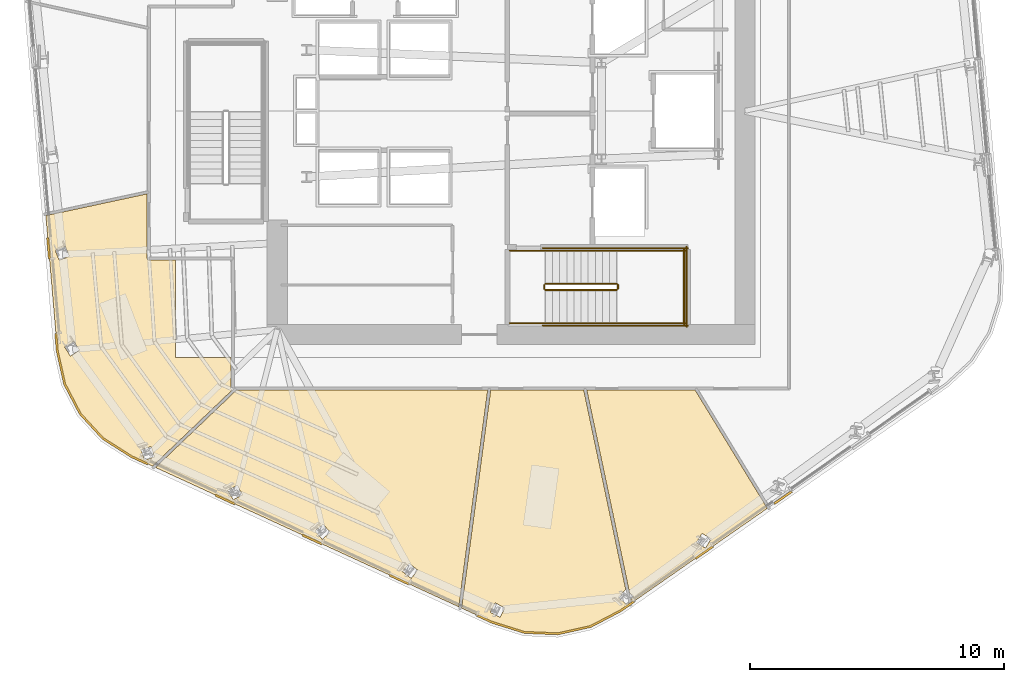
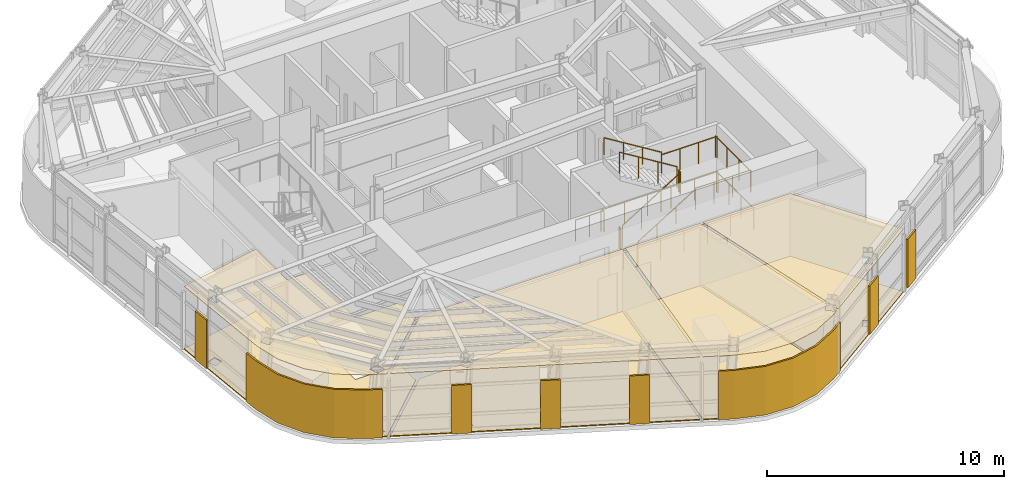
# One storey, part 10 of 14: 16 coverings, 14 railings.
"""IFC4 building model written with IfcOpenShell, lengths in metres."""

from ifc_helpers import new_model, si_unit, direction, frame, origin, origin_2d, place, context, subcontext, project, spatial, polyline, circle, outline, extrude, material, layer, layer_set, type_object, element, save


model = new_model("IFC4")

# Units and contexts
model_context = context("Model", 3, precision=1e-05, world=origin(), true_north=direction((0.0, 1.0)))
body_context = subcontext(model_context, "Body", "Model", "MODEL_VIEW")
ifc_project = project(units=[si_unit("LENGTHUNIT", "METRE"), si_unit("AREAUNIT", "SQUARE_METRE"), si_unit("VOLUMEUNIT", "CUBIC_METRE"), si_unit("PLANEANGLEUNIT", "RADIAN"), si_unit("MASSUNIT", "GRAM", prefix="KILO")], contexts=[model_context])

# Site, building, storey
site_placement = place(None, origin())
site = spatial("IfcSite", under=ifc_project, at=site_placement, CompositionType="ELEMENT")
building_placement = place(site_placement, origin())
building = spatial("IfcBuilding", under=site, at=building_placement, Name="Valkerne Bourse Tower", CompositionType="ELEMENT")
storey_placement = place(building_placement, frame((0.0, 0.0, 174.199951171875)))
storey = spatial("IfcBuildingStorey", under=building, at=storey_placement, Name="L44", CompositionType="ELEMENT", Elevation=174.199951171875)

# Coverings
ifc_material_1 = material(Name="Mineral Fiber Acoustic Ceiling Tile", Category="acoustic")
ifc_layer_1 = layer(ifc_material_1, 0.02490234375)
ifc_layer_set_1 = layer_set([ifc_layer_1], Name="Mineral Fiber Acoustic Ceiling Tile")
covering_type_1 = type_object("IfcCoveringType", Name="COV-CEIL-ACT", PredefinedType="CEILING", material=ifc_layer_set_1)
covering_1_placement = place(storey_placement, frame((0.0, 0.0, 3.22998046875)))
element("IfcCovering", 1, at=covering_1_placement, inside=storey, type_object=covering_type_1, Name="L44 Suspended Ceiling 05", PredefinedType="CEILING", context=body_context, shape_type="SweptSolid", body=[
    extrude(outline(polyline([(54.03857421875, 16.010986328125), (56.876953125, 11.36083984375), (51.539794921875, 7.640625), (51.510498046875, 7.78076171875), (51.615478515625, 7.898193359375), (51.455078125, 8.042724609375), (49.77587890625, 16.010986328125), (54.03857421875, 16.010986328125)]), holes=[polyline([(54.662353515625, 10.163330078125), (54.30810546875, 10.37744140625), (54.3056640625, 10.37646484375), (54.08740234375, 10.01318359375), (54.441650390625, 9.799072265625), (54.444091796875, 9.800048828125), (54.662353515625, 10.163330078125)])]), origin(), (0.0, 0.0, 1.0), 0.025146484375),
])
covering_2_placement = place(storey_placement, frame((0.0, 0.0, 3.22998046875)))
element("IfcCovering", 2, at=covering_2_placement, inside=storey, type_object=covering_type_1, Name="L44 Suspended Ceiling 06", PredefinedType="CEILING", context=body_context, shape_type="SweptSolid", body=[
    extrude(outline(polyline([(48.6357421875, 6.431396484375), (47.3173828125, 6.48681640625), (46.048828125, 6.88427734375), (44.84912109375, 7.435546875), (45.993408203125, 16.010986328125), (49.655517578125, 16.010986328125), (51.306640625, 8.175048828125), (51.30517578125, 8.1748046875), (51.022705078125, 7.85888671875), (51.330078125, 7.58203125), (51.3330078125, 7.58251953125), (51.412841796875, 7.671875), (51.434814453125, 7.5673828125), (51.1015625, 7.335205078125), (49.923583984375, 6.71923828125), (48.6357421875, 6.431396484375)]), holes=[polyline([(46.549072265625, 7.448486328125), (46.171142578125, 7.6396484375), (46.16845703125, 7.639892578125), (45.982421875, 7.269775390625), (46.360107421875, 7.07861328125), (46.36279296875, 7.07861328125), (46.549072265625, 7.448486328125)])]), origin(), (0.0, 0.0, 1.0), 0.025146484375),
])
covering_3_placement = place(storey_placement, frame((0.0, 0.0, 3.22998046875)))
element("IfcCovering", 3, at=covering_3_placement, inside=storey, type_object=covering_type_1, Name="L44 Suspended Ceiling 07", PredefinedType="CEILING", context=body_context, shape_type="SweptSolid", body=[
    extrude(outline(polyline([(29.84765625, 15.085693359375), (29.236328125, 16.255126953125), (28.946533203125, 17.552001953125), (28.49169921875, 22.87939453125), (32.48095703125, 23.736083984375), (32.48095703125, 21.199462890625), (32.48779296875, 21.169921875), (32.508544921875, 21.144775390625), (32.54931640625, 21.131103515625), (33.60009765625, 21.131103515625), (33.60009765625, 17.300048828125), (35.781005859375, 17.300048828125), (35.781005859375, 16.079345703125), (35.794189453125, 16.039306640625), (35.82470703125, 16.017578125), (32.690673828125, 13.02197265625), (31.86279296875, 13.40234375), (30.740966796875, 14.114501953125), (29.84765625, 15.085693359375)]), holes=[polyline([(32.63232421875, 13.79052734375), (32.63037109375, 13.79248046875), (32.23681640625, 13.66357421875), (32.36767578125, 13.2607421875), (32.36962890625, 13.2587890625), (32.76318359375, 13.3876953125), (32.63232421875, 13.79052734375)]), polyline([(29.81494140625, 17.584716796875), (29.813720703125, 17.587158203125), (29.587158203125, 17.9326171875), (29.23193359375, 17.699951171875), (29.233154296875, 17.697509765625), (29.459716796875, 17.35205078125), (29.81494140625, 17.584716796875)]), polyline([(29.4130859375, 21.281982421875), (29.412353515625, 21.28466796875), (29.2548828125, 21.66650390625), (28.8623046875, 21.5048828125), (28.863037109375, 21.50244140625), (29.0205078125, 21.120361328125), (29.4130859375, 21.281982421875)])]), origin(), (0.0, 0.0, 1.0), 0.025146484375),
])
covering_4_placement = place(storey_placement, frame((0.0, 0.0, 3.22998046875)))
element("IfcCovering", 4, at=covering_4_placement, inside=storey, type_object=covering_type_1, Name="L44 Suspended Ceiling 08", PredefinedType="CEILING", context=body_context, shape_type="SweptSolid", body=[
    extrude(outline(polyline([(45.874267578125, 16.010986328125), (44.73681640625, 7.487060546875), (32.805908203125, 12.968994140625), (35.988525390625, 16.010986328125), (45.874267578125, 16.010986328125)]), holes=[polyline([(36.021484375, 12.26904296875), (36.019287109375, 12.270751953125), (35.656982421875, 12.070068359375), (35.861328125, 11.698974609375), (35.863525390625, 11.697509765625), (36.225830078125, 11.89794921875), (36.021484375, 12.26904296875)]), polyline([(42.7841796875, 9.194091796875), (42.781494140625, 9.194580078125), (42.529296875, 8.866455078125), (42.864501953125, 8.607421875), (42.866943359375, 8.60693359375), (43.119384765625, 8.935302734375), (42.7841796875, 9.194091796875)]), polyline([(39.6787109375, 10.416015625), (39.4033203125, 10.73779296875), (39.40087890625, 10.739013671875), (39.0869140625, 10.46875), (39.362548828125, 10.14697265625), (39.364990234375, 10.14599609375), (39.6787109375, 10.416015625)])]), origin(), (0.0, 0.0, 1.0), 0.025146484375),
])
ifc_material_2 = material(Name="Bronze Anodised Aluminium AA 6063-T6", Category="aluminium")
ifc_layer_2 = layer(ifc_material_2, 0.06005859375)
ifc_layer_set_2 = layer_set([ifc_layer_2], Name="Bronze Anodised Aluminium AA 6063-T6")
covering_type_2 = type_object("IfcCoveringType", Name="COV-CRN-ALUM", PredefinedType="CLADDING", material=ifc_layer_set_2)
covering_5_placement = place(storey_placement, origin())
element("IfcCovering", 5, at=covering_5_placement, inside=storey, type_object=covering_type_2, Name="L44 Wind-Shaped Corner Aluminium Cladding 03", PredefinedType="CLADDING", context=body_context, shape_type="SweptSolid", body=[
    extrude(outline(polyline([(57.17138671875, 11.512451171875), (57.12548828125, 11.577880859375), (57.814697265625, 12.058349609375), (57.860595703125, 11.992919921875), (57.17138671875, 11.512451171875)])), origin(), (0.0, 0.0, 1.0), 2.5),
])
covering_6_placement = place(storey_placement, origin())
element("IfcCovering", 6, at=covering_6_placement, inside=storey, type_object=covering_type_2, Name="L44 Wind-Shaped Corner Aluminium Cladding 04", PredefinedType="CLADDING", context=body_context, shape_type="SweptSolid", body=[
    extrude(outline(polyline([(54.077880859375, 9.356201171875), (54.03173828125, 9.42138671875), (54.720947265625, 9.90185546875), (54.766845703125, 9.83642578125), (54.077880859375, 9.356201171875)])), origin(), (0.0, 0.0, 1.0), 2.5),
])
covering_7_placement = place(storey_placement, origin())
element("IfcCovering", 7, at=covering_7_placement, inside=storey, type_object=covering_type_2, Name="L44 Wind-Shaped Corner Aluminium Cladding 05", PredefinedType="CLADDING", context=body_context, shape_type="SweptSolid", body=[
    extrude(outline(polyline([(51.12451171875, 7.297607421875), (49.938720703125, 6.677490234375), (48.6396484375, 6.38720703125), (47.3095703125, 6.443115234375), (46.032958984375, 6.843017578125), (45.425048828125, 7.122314453125), (45.458740234375, 7.195068359375), (46.061767578125, 6.91796875), (47.323486328125, 6.5224609375), (48.632568359375, 6.467529296875), (49.910888671875, 6.75341796875), (51.0830078125, 7.365966796875), (51.627197265625, 7.74560546875), (51.67333984375, 7.679931640625), (51.12451171875, 7.297607421875)])), origin(), (0.0, 0.0, 1.0), 2.5),
])
covering_8_placement = place(storey_placement, origin())
element("IfcCovering", 8, at=covering_8_placement, inside=storey, type_object=covering_type_2, Name="L44 Wind-Shaped Corner Aluminium Cladding 06", PredefinedType="CLADDING", context=body_context, shape_type="SweptSolid", body=[
    extrude(outline(polyline([(41.998291015625, 8.697021484375), (42.031982421875, 8.76953125), (42.79541015625, 8.418701171875), (42.76171875, 8.34619140625), (41.998291015625, 8.697021484375)])), origin(), (0.0, 0.0, 1.0), 2.5),
])
covering_9_placement = place(storey_placement, origin())
element("IfcCovering", 9, at=covering_9_placement, inside=storey, type_object=covering_type_2, Name="L44 Wind-Shaped Corner Aluminium Cladding 07", PredefinedType="CLADDING", context=body_context, shape_type="SweptSolid", body=[
    extrude(outline(polyline([(38.57177734375, 10.271484375), (38.60546875, 10.343994140625), (39.36865234375, 9.9931640625), (39.3349609375, 9.920654296875), (38.57177734375, 10.271484375)])), origin(), (0.0, 0.0, 1.0), 2.5),
])
covering_10_placement = place(storey_placement, origin())
element("IfcCovering", 10, at=covering_10_placement, inside=storey, type_object=covering_type_2, Name="L44 Wind-Shaped Corner Aluminium Cladding 08", PredefinedType="CLADDING", context=body_context, shape_type="SweptSolid", body=[
    extrude(outline(polyline([(35.145263671875, 11.845703125), (35.178955078125, 11.918212890625), (35.942138671875, 11.567626953125), (35.908447265625, 11.4951171875), (35.145263671875, 11.845703125)])), origin(), (0.0, 0.0, 1.0), 2.5),
])
covering_11_placement = place(storey_placement, origin())
element("IfcCovering", 11, at=covering_11_placement, inside=storey, type_object=covering_type_2, Name="L44 Wind-Shaped Corner Aluminium Cladding 09", PredefinedType="CLADDING", context=body_context, shape_type="SweptSolid", body=[
    extrude(outline(polyline([(31.841796875, 13.363525390625), (30.71240234375, 14.080322265625), (29.811279296875, 15.060302734375), (29.194580078125, 16.239990234375), (28.90283203125, 17.545166015625), (28.843017578125, 18.2470703125), (28.922607421875, 18.254150390625), (28.982177734375, 17.557373046875), (29.2705078125, 16.267578125), (29.87744140625, 15.106689453125), (30.76416015625, 14.142333984375), (31.8798828125, 13.43408203125), (32.515380859375, 13.14208984375), (32.481689453125, 13.069580078125), (31.841796875, 13.363525390625)])), origin(), (0.0, 0.0, 1.0), 2.5),
])
covering_12_placement = place(storey_placement, origin())
element("IfcCovering", 12, at=covering_12_placement, inside=storey, type_object=covering_type_2, Name="L44 Wind-Shaped Corner Aluminium Cladding 10", PredefinedType="CLADDING", context=body_context, shape_type="SweptSolid", body=[
    extrude(outline(polyline([(28.522216796875, 22.00439453125), (28.60205078125, 22.011474609375), (28.67333984375, 21.174560546875), (28.59375, 21.16748046875), (28.522216796875, 22.00439453125)])), origin(), (0.0, 0.0, 1.0), 2.5),
])
ifc_material_3 = material(Name="Galvanised Painted Steel", Category="steel")
ifc_layer_3 = layer(ifc_material_3, 0.044921875)
ifc_layer_set_3 = layer_set([ifc_layer_3], Name="Galvanised Painted Steel")
covering_type_3 = type_object("IfcCoveringType", Name="COV-FLR-RAF", PredefinedType="FLOORING", material=ifc_layer_set_3)
covering_13_placement = place(storey_placement, origin())
element("IfcCovering", 13, at=covering_13_placement, inside=storey, type_object=covering_type_3, Name="L44 Floor Finish 06", PredefinedType="FLOORING", context=body_context, shape_type="SweptSolid", body=[
    extrude(outline(polyline([(48.6357421875, 6.431396484375), (47.3173828125, 6.48681640625), (46.048828125, 6.88427734375), (44.84912109375, 7.435546875), (45.993408203125, 16.010986328125), (49.655517578125, 16.010986328125), (51.306640625, 8.175048828125), (51.30517578125, 8.1748046875), (51.022705078125, 7.85888671875), (51.330078125, 7.58203125), (51.3330078125, 7.58251953125), (51.412841796875, 7.671875), (51.434814453125, 7.5673828125), (51.1015625, 7.335205078125), (49.923583984375, 6.71923828125), (48.6357421875, 6.431396484375)]), holes=[polyline([(46.549072265625, 7.448486328125), (46.171142578125, 7.6396484375), (46.16845703125, 7.639892578125), (45.982421875, 7.269775390625), (46.360107421875, 7.07861328125), (46.36279296875, 7.07861328125), (46.549072265625, 7.448486328125)])]), origin(), (0.0, 0.0, 1.0), 0.045166015625),
])
covering_14_placement = place(storey_placement, origin())
element("IfcCovering", 14, at=covering_14_placement, inside=storey, type_object=covering_type_3, Name="L44 Floor Finish 07", PredefinedType="FLOORING", context=body_context, shape_type="SweptSolid", body=[
    extrude(outline(polyline([(29.84765625, 15.085693359375), (29.236328125, 16.255126953125), (28.946533203125, 17.552001953125), (28.49169921875, 22.87939453125), (32.48095703125, 23.736083984375), (32.48095703125, 21.199462890625), (32.48779296875, 21.169921875), (32.508544921875, 21.144775390625), (32.54931640625, 21.131103515625), (33.60009765625, 21.131103515625), (33.60009765625, 17.300048828125), (35.781005859375, 17.300048828125), (35.781005859375, 16.079345703125), (35.794189453125, 16.039306640625), (35.82470703125, 16.017578125), (32.690673828125, 13.02197265625), (31.86279296875, 13.40234375), (30.740966796875, 14.114501953125), (29.84765625, 15.085693359375)]), holes=[polyline([(32.63232421875, 13.79052734375), (32.63037109375, 13.79248046875), (32.23681640625, 13.66357421875), (32.36767578125, 13.2607421875), (32.36962890625, 13.2587890625), (32.76318359375, 13.3876953125), (32.63232421875, 13.79052734375)]), polyline([(29.81494140625, 17.584716796875), (29.813720703125, 17.587158203125), (29.587158203125, 17.9326171875), (29.23193359375, 17.699951171875), (29.233154296875, 17.697509765625), (29.459716796875, 17.35205078125), (29.81494140625, 17.584716796875)]), polyline([(29.4130859375, 21.281982421875), (29.412353515625, 21.28466796875), (29.2548828125, 21.66650390625), (28.8623046875, 21.5048828125), (28.863037109375, 21.50244140625), (29.0205078125, 21.120361328125), (29.4130859375, 21.281982421875)])]), origin(), (0.0, 0.0, 1.0), 0.045166015625),
])
covering_15_placement = place(storey_placement, origin())
element("IfcCovering", 15, at=covering_15_placement, inside=storey, type_object=covering_type_3, Name="L44 Floor Finish 08", PredefinedType="FLOORING", context=body_context, shape_type="SweptSolid", body=[
    extrude(outline(polyline([(45.874267578125, 16.010986328125), (44.73681640625, 7.487060546875), (32.805908203125, 12.968994140625), (35.988525390625, 16.010986328125), (45.874267578125, 16.010986328125)]), holes=[polyline([(36.021484375, 12.26904296875), (36.019287109375, 12.270751953125), (35.656982421875, 12.070068359375), (35.861328125, 11.698974609375), (35.863525390625, 11.697509765625), (36.225830078125, 11.89794921875), (36.021484375, 12.26904296875)]), polyline([(42.7841796875, 9.194091796875), (42.781494140625, 9.194580078125), (42.529296875, 8.866455078125), (42.864501953125, 8.607421875), (42.866943359375, 8.60693359375), (43.119384765625, 8.935302734375), (42.7841796875, 9.194091796875)]), polyline([(39.6787109375, 10.416015625), (39.4033203125, 10.73779296875), (39.40087890625, 10.739013671875), (39.0869140625, 10.46875), (39.362548828125, 10.14697265625), (39.364990234375, 10.14599609375), (39.6787109375, 10.416015625)])]), origin(), (0.0, 0.0, 1.0), 0.045166015625),
])
ifc_material_4 = material(Name="Polished Granite Stone", Category="masonry")
ifc_layer_4 = layer(ifc_material_4, 0.030029296875)
ifc_layer_set_4 = layer_set([ifc_layer_4], Name="Polished Granite Stone")
covering_type_4 = type_object("IfcCoveringType", Name="COV-FLR-TERRAZZO", PredefinedType="FLOORING", material=ifc_layer_set_4)
covering_16_placement = place(storey_placement, origin())
element("IfcCovering", 16, at=covering_16_placement, inside=storey, type_object=covering_type_4, Name="L44 Floor Finish 05", PredefinedType="FLOORING", context=body_context, shape_type="SweptSolid", body=[
    extrude(outline(polyline([(54.03857421875, 16.010986328125), (56.876953125, 11.36083984375), (51.539794921875, 7.640625), (51.510498046875, 7.78076171875), (51.615478515625, 7.898193359375), (51.455078125, 8.042724609375), (49.77587890625, 16.010986328125), (54.03857421875, 16.010986328125)]), holes=[polyline([(54.662353515625, 10.163330078125), (54.30810546875, 10.37744140625), (54.3056640625, 10.37646484375), (54.08740234375, 10.01318359375), (54.441650390625, 9.799072265625), (54.444091796875, 9.800048828125), (54.662353515625, 10.163330078125)])]), origin(), (0.0, 0.0, 1.0), 0.030029296875),
])

# Railings
railing_type_1 = type_object("IfcRailingType", Name="RLG-ST-GUARD-1120", PredefinedType="GUARDRAIL", material=ifc_material_3)
railing_1_placement = place(storey_placement, frame((48.14990234375, 19.949951171875, 0.1728515625)))
element("IfcRailing", 17, at=railing_1_placement, inside=storey, type_object=railing_type_1, Name="L44 ST-1 stair guard 1", PredefinedType="GUARDRAIL", context=body_context, shape_type="SweptSolid", body=[
    extrude(circle(Radius=0.02392578125, at=origin_2d()), frame((0.0, 0.0, 1.09619140625), z_axis=(0.851089632645, 0.0, 0.525020415988), x_axis=(0.0, 1.0, 0.0)), (0.0, 0.0, 1.0), 3.2900390625),
    extrude(circle(Radius=0.02099609375, at=origin_2d()), origin(), (0.0, 0.0, 1.0), 1.072021484375),
    extrude(circle(Radius=0.02099609375, at=origin_2d()), frame((0.933349609375, 0.0, 0.57568359375)), (0.0, 0.0, 1.0), 1.072021484375),
    extrude(circle(Radius=0.02099609375, at=origin_2d()), frame((1.86669921875, 0.0, 1.151611328125)), (0.0, 0.0, 1.0), 1.072021484375),
    extrude(circle(Radius=0.02099609375, at=origin_2d()), frame((2.800048828125, 0.0, 1.727294921875)), (0.0, 0.0, 1.0), 1.072021484375),
])
railing_2_placement = place(storey_placement, frame((51.0, 20.0, 1.900146484375)))
element("IfcRailing", 18, at=railing_2_placement, inside=storey, type_object=railing_type_1, Name="L44 ST-1 stair guard 2", PredefinedType="GUARDRAIL", context=body_context, shape_type="SweptSolid", body=[
    extrude(circle(Radius=0.02392578125, at=origin_2d()), frame((0.0, 0.0, 1.09619140625), z_axis=(0.0, 1.0, 0.0), x_axis=(-1.0, 0.0, 0.0)), (0.0, 0.0, 1.0), 0.14990234375),
    extrude(circle(Radius=0.02099609375, at=origin_2d()), origin(), (0.0, 0.0, 1.0), 1.072021484375),
    extrude(circle(Radius=0.02099609375, at=origin_2d()), frame((0.0, 0.14990234375, 0.0)), (0.0, 0.0, 1.0), 1.072021484375),
])
for number, where, name in (
    (19, (50.949951171875, 18.64990234375, 1.900146484375), "L44 ST-1 stair guard 3"),
    (20, (50.949951171875, 21.5, 1.900146484375), "L44 ST-1 stair guard 4"),
):
    element("IfcRailing", number, at=place(storey_placement, frame(where)), inside=storey, type_object=railing_type_1, Name=name, PredefinedType="GUARDRAIL", context=body_context, shape_type="SweptSolid", body=[
        extrude(circle(Radius=0.02392578125, at=origin_2d()), frame((0.0, 0.0, 1.09619140625), z_axis=(1.0, 0.0, 0.0), x_axis=(0.0, 1.0, 0.0)), (0.0, 0.0, 1.0), 2.699951171875),
        extrude(circle(Radius=0.02099609375, at=origin_2d()), origin(), (0.0, 0.0, 1.0), 1.072021484375),
        extrude(circle(Radius=0.02099609375, at=origin_2d()), frame((0.89990234375, 0.0, 0.0)), (0.0, 0.0, 1.0), 1.072021484375),
        extrude(circle(Radius=0.02099609375, at=origin_2d()), frame((1.800048828125, 0.0, 0.0)), (0.0, 0.0, 1.0), 1.072021484375),
        extrude(circle(Radius=0.02099609375, at=origin_2d()), frame((2.699951171875, 0.0, 0.0)), (0.0, 0.0, 1.0), 1.072021484375),
    ])
railing_3_placement = place(storey_placement, frame((53.60009765625, 18.60009765625, 1.900146484375)))
element("IfcRailing", 21, at=railing_3_placement, inside=storey, type_object=railing_type_1, Name="L44 ST-1 stair guard 5", PredefinedType="GUARDRAIL", context=body_context, shape_type="SweptSolid", body=[
    extrude(circle(Radius=0.02392578125, at=origin_2d()), frame((0.0, 0.0, 1.09619140625), z_axis=(0.0, 1.0, 0.0), x_axis=(-1.0, 0.0, 0.0)), (0.0, 0.0, 1.0), 2.949951171875),
    extrude(circle(Radius=0.02099609375, at=origin_2d()), origin(), (0.0, 0.0, 1.0), 1.072021484375),
    extrude(circle(Radius=0.02099609375, at=origin_2d()), frame((0.0, 0.9833984375, 0.0)), (0.0, 0.0, 1.0), 1.072021484375),
    extrude(circle(Radius=0.02099609375, at=origin_2d()), frame((0.0, 1.966552734375, 0.0)), (0.0, 0.0, 1.0), 1.072021484375),
    extrude(circle(Radius=0.02099609375, at=origin_2d()), frame((0.0, 2.949951171875, 0.0)), (0.0, 0.0, 1.0), 1.072021484375),
])
railing_4_placement = place(storey_placement, frame((50.949951171875, 20.199951171875, 2.07275390625)))
element("IfcRailing", 22, at=railing_4_placement, inside=storey, type_object=railing_type_1, Name="L44 ST-1 stair guard 6", PredefinedType="GUARDRAIL", context=body_context, shape_type="SweptSolid", body=[
    extrude(circle(Radius=0.02392578125, at=origin_2d()), frame((0.0, 0.0, 1.09619140625), z_axis=(-0.851089632645, 0.0, 0.525020415988), x_axis=(0.0, -1.0, 0.0)), (0.0, 0.0, 1.0), 3.2900390625),
    extrude(circle(Radius=0.02099609375, at=origin_2d()), origin(), (0.0, 0.0, 1.0), 1.072021484375),
    extrude(circle(Radius=0.02099609375, at=origin_2d()), frame((-0.933349609375, 0.0, 0.57568359375)), (0.0, 0.0, 1.0), 1.072021484375),
    extrude(circle(Radius=0.02099609375, at=origin_2d()), frame((-1.86669921875, 0.0, 1.151611328125)), (0.0, 0.0, 1.0), 1.072021484375),
    extrude(circle(Radius=0.02099609375, at=origin_2d()), frame((-2.800048828125, 0.0, 1.727294921875)), (0.0, 0.0, 1.0), 1.072021484375),
])
railing_5_placement = place(storey_placement, frame((48.10009765625, 20.0, 0.0)))
element("IfcRailing", 23, at=railing_5_placement, inside=storey, type_object=railing_type_1, Name="L44 ST-1 stair guard 7", PredefinedType="GUARDRAIL", context=body_context, shape_type="SweptSolid", body=[
    extrude(circle(Radius=0.02392578125, at=origin_2d()), frame((0.0, 0.0, 1.09619140625), z_axis=(0.0, 1.0, 0.0), x_axis=(-1.0, 0.0, 0.0)), (0.0, 0.0, 1.0), 0.14990234375),
    extrude(circle(Radius=0.02099609375, at=origin_2d()), origin(), (0.0, 0.0, 1.0), 1.072021484375),
    extrude(circle(Radius=0.02099609375, at=origin_2d()), frame((0.0, 0.14990234375, 0.0)), (0.0, 0.0, 1.0), 1.072021484375),
])
for number, where, name in (
    (24, (46.75, 18.64990234375, 0.0), "L44 ST-1 stair guard 8"),
    (25, (46.75, 21.5, 0.0), "L44 ST-1 stair guard 9"),
):
    element("IfcRailing", number, at=place(storey_placement, frame(where)), inside=storey, type_object=railing_type_1, Name=name, PredefinedType="GUARDRAIL", context=body_context, shape_type="SweptSolid", body=[
        extrude(circle(Radius=0.02392578125, at=origin_2d()), frame((0.0, 0.0, 1.09619140625), z_axis=(1.0, 0.0, 0.0), x_axis=(0.0, 1.0, 0.0)), (0.0, 0.0, 1.0), 1.39990234375),
        extrude(circle(Radius=0.02099609375, at=origin_2d()), origin(), (0.0, 0.0, 1.0), 1.072021484375),
        extrude(circle(Radius=0.02099609375, at=origin_2d()), frame((0.699951171875, 0.0, 0.0)), (0.0, 0.0, 1.0), 1.072021484375),
        extrude(circle(Radius=0.02099609375, at=origin_2d()), frame((1.39990234375, 0.0, 0.0)), (0.0, 0.0, 1.0), 1.072021484375),
    ])
for number, where, name in (
    (26, (48.050048828125, 18.550048828125, 0.0), "L44 ST-1 stair guard 10"),
    (27, (48.050048828125, 21.60009765625, 0.0), "L44 ST-1 stair guard 11"),
):
    element("IfcRailing", number, at=place(storey_placement, frame(where)), inside=storey, type_object=railing_type_1, Name=name, PredefinedType="GUARDRAIL", context=body_context, shape_type="SweptSolid", body=[
        extrude(circle(Radius=0.02392578125, at=origin_2d()), frame((0.0, 0.0, 1.09619140625), z_axis=(1.0, 0.0, 0.0), x_axis=(0.0, 1.0, 0.0)), (0.0, 0.0, 1.0), 5.699951171875),
        extrude(circle(Radius=0.02099609375, at=origin_2d()), origin(), (0.0, 0.0, 1.0), 1.072021484375),
        extrude(circle(Radius=0.02099609375, at=origin_2d()), frame((1.139892578125, 0.0, 0.0)), (0.0, 0.0, 1.0), 1.072021484375),
        extrude(circle(Radius=0.02099609375, at=origin_2d()), frame((2.280029296875, 0.0, 0.0)), (0.0, 0.0, 1.0), 1.072021484375),
        extrude(circle(Radius=0.02099609375, at=origin_2d()), frame((3.419921875, 0.0, 0.0)), (0.0, 0.0, 1.0), 1.072021484375),
        extrude(circle(Radius=0.02099609375, at=origin_2d()), frame((4.56005859375, 0.0, 0.0)), (0.0, 0.0, 1.0), 1.072021484375),
        extrude(circle(Radius=0.02099609375, at=origin_2d()), frame((5.699951171875, 0.0, 0.0)), (0.0, 0.0, 1.0), 1.072021484375),
    ])
railing_6_placement = place(storey_placement, frame((53.699951171875, 18.5, 0.0)))
element("IfcRailing", 28, at=railing_6_placement, inside=storey, type_object=railing_type_1, Name="L44 ST-1 stair guard 12", PredefinedType="GUARDRAIL", context=body_context, shape_type="SweptSolid", body=[
    extrude(circle(Radius=0.02392578125, at=origin_2d()), frame((0.0, 0.0, 1.09619140625), z_axis=(0.0, 1.0, 0.0), x_axis=(-1.0, 0.0, 0.0)), (0.0, 0.0, 1.0), 3.14990234375),
    extrude(circle(Radius=0.02099609375, at=origin_2d()), origin(), (0.0, 0.0, 1.0), 1.072021484375),
    extrude(circle(Radius=0.02099609375, at=origin_2d()), frame((0.0, 1.050048828125, 0.0)), (0.0, 0.0, 1.0), 1.072021484375),
    extrude(circle(Radius=0.02099609375, at=origin_2d()), frame((0.0, 2.099853515625, 0.0)), (0.0, 0.0, 1.0), 1.072021484375),
    extrude(circle(Radius=0.02099609375, at=origin_2d()), frame((0.0, 3.14990234375, 0.0)), (0.0, 0.0, 1.0), 1.072021484375),
])
ifc_material_5 = material(Name="Stainless Steel AISI 316", Category="steel")
railing_type_2 = type_object("IfcRailingType", Name="RLG-ST-HANDRAIL-900", PredefinedType="HANDRAIL", material=ifc_material_5)
railing_7_placement = place(storey_placement, frame((48.14990234375, 18.64990234375, 0.345458984375)))
element("IfcRailing", 29, at=railing_7_placement, inside=storey, type_object=railing_type_2, Name="L44 ST-1 stair handrail 1", PredefinedType="HANDRAIL", context=body_context, shape_type="SweptSolid", body=[
    extrude(circle(Radius=0.02392578125, at=origin_2d()), frame((0.0, 0.0, 0.8759765625), z_axis=(0.851089632645, 0.0, 0.525020415988), x_axis=(0.0, 1.0, 0.0)), (0.0, 0.0, 1.0), 3.2900390625),
    extrude(circle(Radius=0.02099609375, at=origin_2d()), origin(), (0.0, 0.0, 1.0), 0.851806640625),
    extrude(circle(Radius=0.02099609375, at=origin_2d()), frame((0.933349609375, 0.0, 0.57568359375)), (0.0, 0.0, 1.0), 0.851806640625),
    extrude(circle(Radius=0.02099609375, at=origin_2d()), frame((1.86669921875, 0.0, 1.151611328125)), (0.0, 0.0, 1.0), 0.851806640625),
    extrude(circle(Radius=0.02099609375, at=origin_2d()), frame((2.800048828125, 0.0, 1.727294921875)), (0.0, 0.0, 1.0), 0.851806640625),
])
railing_8_placement = place(storey_placement, frame((50.949951171875, 21.5, 2.24560546875)))
element("IfcRailing", 30, at=railing_8_placement, inside=storey, type_object=railing_type_2, Name="L44 ST-1 stair handrail 2", PredefinedType="HANDRAIL", context=body_context, shape_type="SweptSolid", body=[
    extrude(circle(Radius=0.02392578125, at=origin_2d()), frame((0.0, 0.0, 0.8759765625), z_axis=(-0.851122791225, 0.0, 0.524966660138), x_axis=(0.0, -1.0, 0.0)), (0.0, 0.0, 1.0), 3.289794921875),
    extrude(circle(Radius=0.02099609375, at=origin_2d()), origin(), (0.0, 0.0, 1.0), 0.851806640625),
    extrude(circle(Radius=0.02099609375, at=origin_2d()), frame((-0.933349609375, 0.0, 0.57568359375)), (0.0, 0.0, 1.0), 0.851806640625),
    extrude(circle(Radius=0.02099609375, at=origin_2d()), frame((-1.86669921875, 0.0, 1.1513671875)), (0.0, 0.0, 1.0), 0.851806640625),
    extrude(circle(Radius=0.02099609375, at=origin_2d()), frame((-2.800048828125, 0.0, 1.72705078125)), (0.0, 0.0, 1.0), 0.851806640625),
])

save(model, "model.ifc")
